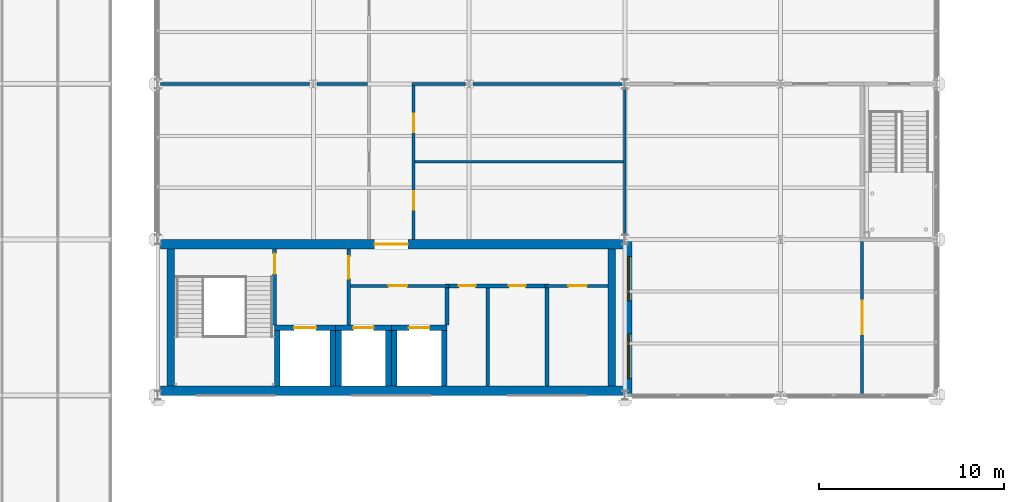
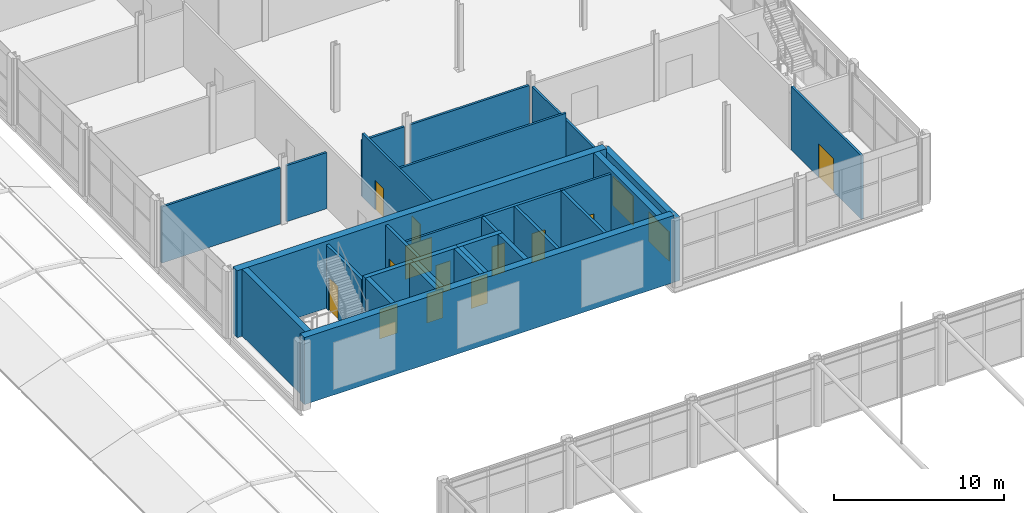
# One storey, part 154 of 167: 30 walls, 13 doors, 2 windows, 15 openings.
"""IFC4 building model written with IfcOpenShell, lengths in metres."""

from ifc_helpers import new_model, si_unit, direction, frame, frame_2d, origin, place, context, subcontext, project, spatial, rectangle, extrude, material, layer, layer_set, type_object, element, fill, save


model = new_model("IFC4")

# Units and contexts
model_context = context("Model", 3, precision=1e-05, world=origin(), true_north=direction((0.0, 1.0)))
body_context = subcontext(model_context, "Body", "Model", "MODEL_VIEW")
ifc_project = project(units=[si_unit("LENGTHUNIT", "METRE"), si_unit("AREAUNIT", "SQUARE_METRE"), si_unit("VOLUMEUNIT", "CUBIC_METRE"), si_unit("PLANEANGLEUNIT", "RADIAN"), si_unit("MASSUNIT", "GRAM", prefix="KILO")], contexts=[model_context])

# Site, building, storey
site_placement = place(None, origin())
site = spatial("IfcSite", under=ifc_project, at=site_placement, CompositionType="ELEMENT")
building_placement = place(site_placement, origin())
building = spatial("IfcBuilding", under=site, at=building_placement, Name="Catenary Quay Ferry Terminal", CompositionType="ELEMENT")
storey_placement = place(building_placement, frame((0.0, 0.0, 6.0)))
storey = spatial("IfcBuildingStorey", under=building, at=storey_placement, Name="L01", CompositionType="ELEMENT", Elevation=6.0)

# Walls
ifc_material_1 = material(Name="Concrete C50/60", Category="concrete")
ifc_layer_1 = layer(ifc_material_1, 0.39990234375)
ifc_layer_set_1 = layer_set([ifc_layer_1], Name="Core wall 400")
wall_type_1 = type_object("IfcWallType", Name="Core wall 400", PredefinedType="SHEAR", material=ifc_layer_set_1)
for number, where, z_axis, x_axis, name in (
    (1, (25.89990234375, 160.10009765625, 0.0), (0.0, 0.0, 1.0), (0.0, 1.0, 0.0), "Core wall S3"),
    (2, (49.699951171875, 160.10009765625, 0.0), (0.0, 0.0, 1.0), (0.0, 1.0, 0.0), "Core wall S4"),
):
    element("IfcWall", number, at=place(storey_placement, frame(where, z_axis=z_axis, x_axis=x_axis)), inside=storey, type_object=wall_type_1, Name=name, PredefinedType="SHEAR", context=body_context, shape_type="SweptSolid", body=[
        extrude(rectangle(XDim=7.39990234375, YDim=0.39990234375, at=frame_2d((3.699951171875, 0.0))), origin(), (0.0, 0.0, 1.0), 4.800048828125),
    ])
ifc_material_2 = material(Name="Concrete C50/60", Category="concrete")
ifc_layer_2 = layer(ifc_material_2, 0.5)
ifc_layer_set_2 = layer_set([ifc_layer_2], Name="Core wall 500")
wall_type_2 = type_object("IfcWallType", Name="Core wall 500", PredefinedType="SHEAR", material=ifc_layer_set_2)
wall_1_placement = place(storey_placement, frame((25.35009765625, 159.85009765625, 0.0), z_axis=(0.0, 0.0, 1.0), x_axis=(1.0, 0.0, 0.0)))
element("IfcWall", 3, at=wall_1_placement, inside=storey, type_object=wall_type_2, Name="Core wall S1", PredefinedType="SHEAR", context=body_context, shape_type="SweptSolid", body=[
    extrude(rectangle(XDim=25.04296875, YDim=0.5, at=frame_2d((12.521484375, 0.0))), origin(), (0.0, 0.0, 1.0), 4.800048828125),
])

# Wall, opening, door
wall_2_placement = place(storey_placement, frame((25.35009765625, 167.75, 0.0), z_axis=(0.0, 0.0, 1.0), x_axis=(1.0, 0.0, 0.0)))
wall_2 = element("IfcWall", 4, at=wall_2_placement, inside=storey, type_object=wall_type_2, Name="Core wall S2", PredefinedType="SHEAR", context=body_context, shape_type="SweptSolid", body=[
    extrude(rectangle(XDim=25.04296875, YDim=0.5, at=frame_2d((12.521484375, 0.0))), origin(), (0.0, 0.0, 1.0), 4.800048828125),
])
opening_1_placement = place(wall_2_placement, frame((11.550048828125, 0.0, 0.0)))
opening_1 = element("IfcOpeningElement", 5, at=opening_1_placement, cuts=wall_2, Name="Opening D138", PredefinedType="OPENING", context=body_context, shape_type="SweptSolid", body=[
    extrude(rectangle(XDim=1.800048828125, YDim=2.39990234375, at=frame_2d((0.89990234375, 1.199951171875))), frame((0.0, 0.260009765625, 0.0), z_axis=(0.0, -1.0, 0.0), x_axis=(1.0, 0.0, 0.0)), (0.0, 0.0, 1.0), 0.52001953125),
])
ifc_material_3 = material(Name="Steel and glass", Category="steel")
door_type_1 = type_object("IfcDoorType", Name="DI3", OperationType="DOUBLE_DOOR_SINGLE_SWING", PredefinedType="DOOR", material=ifc_material_3)
door_1_placement = place(opening_1_placement, frame((1.800048828125, 0.0, 0.0), z_axis=(0.0, 0.0, 1.0), x_axis=(-1.0, 0.0, 0.0)))
door_1 = element("IfcDoor", 6, at=door_1_placement, inside=storey, type_object=door_type_1, Name="Operations Corridor South to Core Corridor S", OperationType="DOUBLE_DOOR_SINGLE_SWING", OverallHeight=2.39990234375, OverallWidth=1.800048828125, PredefinedType="DOOR", context=body_context, shape_type="SweptSolid", body=[
    extrude(rectangle(XDim=1.800048828125, YDim=2.39990234375, at=frame_2d((0.89990234375, 1.199951171875))), frame((0.0, 0.02490234375, 0.0), z_axis=(0.0, -1.0, 0.0), x_axis=(1.0, 0.0, 0.0)), (0.0, 0.0, 1.0), 0.050048828125),
])
fill(opening_1, door_1)

# Wall, openings, windows
ifc_material_4 = material(Name="Masonry and insulation", Category="masonry")
ifc_layer_3 = layer(ifc_material_4, 0.39990234375)
ifc_layer_set_3 = layer_set([ifc_layer_3], Name="EW2")
wall_type_3 = type_object("IfcWallType", Name="EW2", PredefinedType="SOLIDWALL", material=ifc_layer_set_3)
wall_3_placement = place(storey_placement, frame((50.60009765625, 159.60009765625, 0.0), z_axis=(0.0, 0.0, 1.0), x_axis=(0.0, 1.0, 0.0)))
wall_3 = element("IfcWall", 7, at=wall_3_placement, inside=storey, type_object=wall_type_3, Name="P35 wall WL190", PredefinedType="SOLIDWALL", context=body_context, shape_type="SweptSolid", body=[
    extrude(rectangle(XDim=8.39990234375, YDim=0.39990234375, at=frame_2d((4.199951171875, 0.0))), origin(), (0.0, 0.0, 1.0), 4.550048828125),
])
opening_2_placement = place(wall_3_placement, frame((0.89990234375, 0.0, 0.89990234375)))
opening_2 = element("IfcOpeningElement", 8, at=opening_2_placement, cuts=wall_3, Name="Opening W42", PredefinedType="OPENING", context=body_context, shape_type="SweptSolid", body=[
    extrude(rectangle(XDim=2.39990234375, YDim=2.10009765625, at=frame_2d((1.199951171875, 1.050048828125))), frame((0.0, 0.2099609375, 0.0), z_axis=(0.0, -1.0, 0.0), x_axis=(1.0, 0.0, 0.0)), (0.0, 0.0, 1.0), 0.419921875),
])
opening_3_placement = place(wall_3_placement, frame((5.10009765625, 0.0, 0.89990234375)))
opening_3 = element("IfcOpeningElement", 9, at=opening_3_placement, cuts=wall_3, Name="Opening W43", PredefinedType="OPENING", context=body_context, shape_type="SweptSolid", body=[
    extrude(rectangle(XDim=2.39990234375, YDim=2.10009765625, at=frame_2d((1.199951171875, 1.050048828125))), frame((0.0, 0.2099609375, 0.0), z_axis=(0.0, -1.0, 0.0), x_axis=(1.0, 0.0, 0.0)), (0.0, 0.0, 1.0), 0.419921875),
])
ifc_material_5 = material(Name="Aluminium and glass", Category="aluminium")
window_type = type_object("IfcWindowType", Name="WP2", PartitioningType="SINGLE_PANEL", PredefinedType="WINDOW", material=ifc_material_5)
window_1_placement = place(opening_2_placement, origin())
window_1 = element("IfcWindow", 10, at=window_1_placement, inside=storey, type_object=window_type, Name="P35 window W42", OverallHeight=2.10009765625, OverallWidth=2.39990234375, PartitioningType="SINGLE_PANEL", PredefinedType="WINDOW", context=body_context, shape_type="SweptSolid", body=[
    extrude(rectangle(XDim=2.39990234375, YDim=2.10009765625, at=frame_2d((1.199951171875, 1.050048828125))), frame((0.0, 0.030029296875, 0.0), z_axis=(0.0, -1.0, 0.0), x_axis=(1.0, 0.0, 0.0)), (0.0, 0.0, 1.0), 0.06005859375),
])
fill(opening_2, window_1)
window_2_placement = place(opening_3_placement, origin())
window_2 = element("IfcWindow", 11, at=window_2_placement, inside=storey, type_object=window_type, Name="P35 window W43", OverallHeight=2.10009765625, OverallWidth=2.39990234375, PartitioningType="SINGLE_PANEL", PredefinedType="WINDOW", context=body_context, shape_type="SweptSolid", body=[
    extrude(rectangle(XDim=2.39990234375, YDim=2.10009765625, at=frame_2d((1.199951171875, 1.050048828125))), frame((0.0, 0.030029296875, 0.0), z_axis=(0.0, -1.0, 0.0), x_axis=(1.0, 0.0, 0.0)), (0.0, 0.0, 1.0), 0.06005859375),
])
fill(opening_3, window_2)

# Wall, opening, door
ifc_material_6 = material(Name="Plasterboard on steel studs", Category="steel")
ifc_layer_4 = layer(ifc_material_6, 0.14990234375)
ifc_layer_set_4 = layer_set([ifc_layer_4], Name="IP3")
wall_type_4 = type_object("IfcWallType", Name="IP3", PredefinedType="PARTITIONING", material=ifc_layer_set_4)
wall_4_placement = place(storey_placement, frame((35.60009765625, 165.5, 0.0), z_axis=(0.0, 0.0, 1.0), x_axis=(1.0, 0.0, 0.0)))
wall_4 = element("IfcWall", 12, at=wall_4_placement, inside=storey, type_object=wall_type_4, Name="Partition L01 25", PredefinedType="PARTITIONING", context=body_context, shape_type="SweptSolid", body=[
    extrude(rectangle(XDim=5.2998046875, YDim=0.14990234375, at=frame_2d((2.64990234375, 0.0))), origin(), (0.0, 0.0, 1.0), 4.550048828125),
])
opening_4_placement = place(wall_4_placement, frame((2.050048828125, 0.0, 0.0)))
opening_4 = element("IfcOpeningElement", 13, at=opening_4_placement, cuts=wall_4, Name="Opening D126", PredefinedType="OPENING", context=body_context, shape_type="SweptSolid", body=[
    extrude(rectangle(XDim=1.0, YDim=2.10009765625, at=frame_2d((0.5, 1.050048828125))), frame((0.0, 0.0849609375, 0.0), z_axis=(0.0, -1.0, 0.0), x_axis=(1.0, 0.0, 0.0)), (0.0, 0.0, 1.0), 0.169921875),
])
ifc_material_7 = material(Name="Steel", Category="steel")
door_type_2 = type_object("IfcDoorType", Name="DI12", OperationType="SINGLE_SWING_LEFT", PredefinedType="DOOR", material=ifc_material_7)
door_2_placement = place(opening_4_placement, origin())
door_2 = element("IfcDoor", 14, at=door_2_placement, inside=storey, type_object=door_type_2, Name="Passenger Lift Lobby S to Core Corridor S", OperationType="SINGLE_SWING_LEFT", OverallHeight=2.10009765625, OverallWidth=1.0, PredefinedType="DOOR", context=body_context, shape_type="SweptSolid", body=[
    extrude(rectangle(XDim=1.0, YDim=2.10009765625, at=frame_2d((0.5, 1.050048828125))), frame((0.0, 0.02490234375, 0.0), z_axis=(0.0, -1.0, 0.0), x_axis=(1.0, 0.0, 0.0)), (0.0, 0.0, 1.0), 0.050048828125),
])
fill(opening_4, door_2)

wall_5_placement = place(storey_placement, frame((46.10009765625, 165.5, 0.0), z_axis=(0.0, 0.0, 1.0), x_axis=(1.0, 0.0, 0.0)))
wall_5 = element("IfcWall", 15, at=wall_5_placement, inside=storey, type_object=wall_type_4, Name="Partition L01 27", PredefinedType="PARTITIONING", context=body_context, shape_type="SweptSolid", body=[
    extrude(rectangle(XDim=3.39990234375, YDim=0.14990234375, at=frame_2d((1.699951171875, 0.0))), origin(), (0.0, 0.0, 1.0), 4.550048828125),
])
opening_5_placement = place(wall_5_placement, frame((1.25, 0.0, 0.0)))
opening_5 = element("IfcOpeningElement", 16, at=opening_5_placement, cuts=wall_5, Name="Opening D134", PredefinedType="OPENING", context=body_context, shape_type="SweptSolid", body=[
    extrude(rectangle(XDim=1.0, YDim=2.10009765625, at=frame_2d((0.5, 1.050048828125))), frame((0.0, 0.0849609375, 0.0), z_axis=(0.0, -1.0, 0.0), x_axis=(1.0, 0.0, 0.0)), (0.0, 0.0, 1.0), 0.169921875),
])
ifc_material_8 = material(Name="Timber", Category="wood")
door_type_3 = type_object("IfcDoorType", Name="DI8", OperationType="SINGLE_SWING_LEFT", PredefinedType="DOOR", material=ifc_material_8)
door_3_placement = place(opening_5_placement, frame((1.0, 0.0, 0.0), z_axis=(0.0, 0.0, 1.0), x_axis=(-1.0, 0.0, 0.0)))
door_3 = element("IfcDoor", 17, at=door_3_placement, inside=storey, type_object=door_type_3, Name="Accessible WC S to Core Corridor S", OperationType="SINGLE_SWING_RIGHT", OverallHeight=2.10009765625, OverallWidth=1.0, PredefinedType="DOOR", context=body_context, shape_type="SweptSolid", body=[
    extrude(rectangle(XDim=1.0, YDim=2.10009765625, at=frame_2d((0.5, 1.050048828125))), frame((0.0, 0.02490234375, 0.0), z_axis=(0.0, -1.0, 0.0), x_axis=(1.0, 0.0, 0.0)), (0.0, 0.0, 1.0), 0.050048828125),
])
fill(opening_5, door_3)

# Walls
wall_6_placement = place(storey_placement, frame((38.925048828125, 176.39990234375, 0.0), z_axis=(0.0, 0.0, 1.0), x_axis=(1.0, 0.0, 0.0)))
element("IfcWall", 18, at=wall_6_placement, inside=storey, type_object=wall_type_4, Name="Partition L01 32", PredefinedType="PARTITIONING", context=body_context, shape_type="SweptSolid", body=[
    extrude(rectangle(XDim=2.873046875, YDim=0.14990234375, at=frame_2d((1.4365234375, 0.0))), origin(), (0.0, 0.0, 1.0), 4.021728515625),
])
wall_7_placement = place(storey_placement, frame((42.201904296875, 176.39990234375, 0.0), z_axis=(0.0, 0.0, 1.0), x_axis=(1.0, 0.0, 0.0)))
element("IfcWall", 19, at=wall_7_placement, inside=storey, type_object=wall_type_4, Name="Partition L01 33", PredefinedType="PARTITIONING", context=body_context, shape_type="SweptSolid", body=[
    extrude(rectangle(XDim=8.048095703125, YDim=0.14990234375, at=frame_2d((4.02392578125, 0.0))), origin(), (0.0, 0.0, 1.0), 4.021728515625),
])

# Wall, openings, doors
wall_8_placement = place(storey_placement, frame((39.0, 168.0, 0.0), z_axis=(0.0, 0.0, 1.0), x_axis=(0.0, 1.0, 0.0)))
wall_8 = element("IfcWall", 20, at=wall_8_placement, inside=storey, type_object=wall_type_4, Name="Partition L01 61", PredefinedType="PARTITIONING", context=body_context, shape_type="SweptSolid", body=[
    extrude(rectangle(XDim=8.324951171875, YDim=0.14990234375, at=frame_2d((4.16259765625, 0.0))), origin(), (0.0, 0.0, 1.0), 4.550048828125),
])
opening_6_placement = place(wall_8_placement, frame((1.60009765625, 0.0, 0.0)))
opening_6 = element("IfcOpeningElement", 21, at=opening_6_placement, cuts=wall_8, Name="Opening D144", PredefinedType="OPENING", context=body_context, shape_type="SweptSolid", body=[
    extrude(rectangle(XDim=1.0, YDim=2.10009765625, at=frame_2d((0.5, 1.050048828125))), frame((0.0, 0.0849609375, 0.0), z_axis=(0.0, -1.0, 0.0), x_axis=(1.0, 0.0, 0.0)), (0.0, 0.0, 1.0), 0.169921875),
])
opening_7_placement = place(wall_8_placement, frame((5.800048828125, 0.0, 0.0)))
opening_7 = element("IfcOpeningElement", 22, at=opening_7_placement, cuts=wall_8, Name="Opening D145", PredefinedType="OPENING", context=body_context, shape_type="SweptSolid", body=[
    extrude(rectangle(XDim=1.0, YDim=2.10009765625, at=frame_2d((0.5, 1.050048828125))), frame((0.0, 0.0849609375, 0.0), z_axis=(0.0, -1.0, 0.0), x_axis=(1.0, 0.0, 0.0)), (0.0, 0.0, 1.0), 0.169921875),
])
ifc_material_9 = material(Name="Timber", Category="wood")
door_type_4 = type_object("IfcDoorType", Name="DI7", OperationType="SINGLE_SWING_LEFT", PredefinedType="DOOR", material=ifc_material_9)
door_4_placement = place(opening_6_placement, frame((1.0, 0.0, 0.0), z_axis=(0.0, 0.0, 1.0), x_axis=(-1.0, 0.0, 0.0)))
door_4 = element("IfcDoor", 23, at=door_4_placement, inside=storey, type_object=door_type_4, Name="Interview Room 1 to Operations Corridor South", OperationType="SINGLE_SWING_RIGHT", OverallHeight=2.10009765625, OverallWidth=1.0, PredefinedType="DOOR", context=body_context, shape_type="SweptSolid", body=[
    extrude(rectangle(XDim=1.0, YDim=2.10009765625, at=frame_2d((0.5, 1.050048828125))), frame((0.0, 0.02490234375, 0.0), z_axis=(0.0, -1.0, 0.0), x_axis=(1.0, 0.0, 0.0)), (0.0, 0.0, 1.0), 0.050048828125),
])
fill(opening_6, door_4)
door_5_placement = place(opening_7_placement, frame((1.0, 0.0, 0.0), z_axis=(0.0, 0.0, 1.0), x_axis=(-1.0, 0.0, 0.0)))
door_5 = element("IfcDoor", 24, at=door_5_placement, inside=storey, type_object=door_type_4, Name="Interview Room 2 to Operations Corridor South", OperationType="SINGLE_SWING_RIGHT", OverallHeight=2.10009765625, OverallWidth=1.0, PredefinedType="DOOR", context=body_context, shape_type="SweptSolid", body=[
    extrude(rectangle(XDim=1.0, YDim=2.10009765625, at=frame_2d((0.5, 1.050048828125))), frame((0.0, 0.02490234375, 0.0), z_axis=(0.0, -1.0, 0.0), x_axis=(1.0, 0.0, 0.0)), (0.0, 0.0, 1.0), 0.050048828125),
])
fill(opening_7, door_5)

# Wall, opening, door
ifc_material_10 = material(Name="Blockwork and plaster", Category="masonry")
ifc_layer_5 = layer(ifc_material_10, 0.199951171875)
ifc_layer_set_5 = layer_set([ifc_layer_5], Name="IP4")
wall_type_5 = type_object("IfcWallType", Name="IP4", PredefinedType="PARTITIONING", material=ifc_layer_set_5)
wall_9_placement = place(storey_placement, frame((31.5, 163.39990234375, 0.0), z_axis=(0.0, 0.0, 1.0), x_axis=(0.0, 1.0, 0.0)))
wall_9 = element("IfcWall", 25, at=wall_9_placement, inside=storey, type_object=wall_type_5, Name="Partition L01 53", PredefinedType="PARTITIONING", context=body_context, shape_type="SweptSolid", body=[
    extrude(rectangle(XDim=4.10009765625, YDim=0.199951171875, at=frame_2d((2.050048828125, 0.0))), origin(), (0.0, 0.0, 1.0), 4.550048828125),
])
opening_8_placement = place(wall_9_placement, frame((2.75, 0.0, 0.0)))
opening_8 = element("IfcOpeningElement", 26, at=opening_8_placement, cuts=wall_9, Name="Opening D136", PredefinedType="OPENING", context=body_context, shape_type="SweptSolid", body=[
    extrude(rectangle(XDim=1.10009765625, YDim=2.39990234375, at=frame_2d((0.550048828125, 1.199951171875))), frame((0.0, 0.10986328125, 0.0), z_axis=(0.0, -1.0, 0.0), x_axis=(1.0, 0.0, 0.0)), (0.0, 0.0, 1.0), 0.219970703125),
])
ifc_material_11 = material(Name="Steel", Category="steel")
door_type_5 = type_object("IfcDoorType", Name="DI4", OperationType="SINGLE_SWING_LEFT", PredefinedType="DOOR", material=ifc_material_11)
door_6_placement = place(opening_8_placement, origin())
door_6 = element("IfcDoor", 27, at=door_6_placement, inside=storey, type_object=door_type_5, Name="Stair HS2 to Fire-fighting Lobby S", OperationType="SINGLE_SWING_LEFT", OverallHeight=2.39990234375, OverallWidth=1.10009765625, PredefinedType="DOOR", context=body_context, shape_type="SweptSolid", body=[
    extrude(rectangle(XDim=1.10009765625, YDim=2.39990234375, at=frame_2d((0.550048828125, 1.199951171875))), frame((0.0, 0.02490234375, 0.0), z_axis=(0.0, -1.0, 0.0), x_axis=(1.0, 0.0, 0.0)), (0.0, 0.0, 1.0), 0.050048828125),
])
fill(opening_8, door_6)

wall_10_placement = place(storey_placement, frame((35.5, 163.39990234375, 0.0), z_axis=(0.0, 0.0, 1.0), x_axis=(0.0, 1.0, 0.0)))
wall_10 = element("IfcWall", 28, at=wall_10_placement, inside=storey, type_object=wall_type_5, Name="Partition L01 57", PredefinedType="PARTITIONING", context=body_context, shape_type="SweptSolid", body=[
    extrude(rectangle(XDim=4.10009765625, YDim=0.199951171875, at=frame_2d((2.050048828125, 0.0))), origin(), (0.0, 0.0, 1.0), 4.550048828125),
])
opening_9_placement = place(wall_10_placement, frame((2.5, 0.0, 0.0)))
opening_9 = element("IfcOpeningElement", 29, at=opening_9_placement, cuts=wall_10, Name="Opening D128", PredefinedType="OPENING", context=body_context, shape_type="SweptSolid", body=[
    extrude(rectangle(XDim=1.199951171875, YDim=2.39990234375, at=frame_2d((0.60009765625, 1.199951171875))), frame((0.0, 0.10986328125, 0.0), z_axis=(0.0, -1.0, 0.0), x_axis=(1.0, 0.0, 0.0)), (0.0, 0.0, 1.0), 0.219970703125),
])
ifc_material_12 = material(Name="Steel and glass", Category="steel")
door_type_6 = type_object("IfcDoorType", Name="DI10", OperationType="SINGLE_SWING_LEFT", PredefinedType="DOOR", material=ifc_material_12)
door_7_placement = place(opening_9_placement, origin())
door_7 = element("IfcDoor", 30, at=door_7_placement, inside=storey, type_object=door_type_6, Name="Fire-fighting Lobby S to Core Corridor S", OperationType="SINGLE_SWING_LEFT", OverallHeight=2.39990234375, OverallWidth=1.199951171875, PredefinedType="DOOR", context=body_context, shape_type="SweptSolid", body=[
    extrude(rectangle(XDim=1.199951171875, YDim=2.39990234375, at=frame_2d((0.60009765625, 1.199951171875))), frame((0.0, 0.02490234375, 0.0), z_axis=(0.0, -1.0, 0.0), x_axis=(1.0, 0.0, 0.0)), (0.0, 0.0, 1.0), 0.050048828125),
])
fill(opening_9, door_7)

# Wall, openings, doors
ifc_material_13 = material(Name="Blockwork and plaster", Category="masonry")
ifc_layer_6 = layer(ifc_material_13, 0.199951171875)
ifc_layer_set_6 = layer_set([ifc_layer_6], Name="IP6")
wall_type_6 = type_object("IfcWallType", Name="IP6", PredefinedType="PARTITIONING", material=ifc_layer_set_6)
wall_11_placement = place(storey_placement, frame((40.699951171875, 165.5, 0.0), z_axis=(0.0, 0.0, 1.0), x_axis=(1.0, 0.0, 0.0)))
wall_11 = element("IfcWall", 31, at=wall_11_placement, inside=storey, type_object=wall_type_6, Name="Partition L01 26", PredefinedType="PARTITIONING", context=body_context, shape_type="SweptSolid", body=[
    extrude(rectangle(XDim=5.60009765625, YDim=0.199951171875, at=frame_2d((2.800048828125, 0.0))), origin(), (0.0, 0.0, 1.0), 4.550048828125),
])
opening_10_placement = place(wall_11_placement, frame((0.75, 0.0, 0.0)))
opening_10 = element("IfcOpeningElement", 32, at=opening_10_placement, cuts=wall_11, Name="Opening D130", PredefinedType="OPENING", context=body_context, shape_type="SweptSolid", body=[
    extrude(rectangle(XDim=0.89990234375, YDim=2.10009765625, at=frame_2d((0.449951171875, 1.050048828125))), frame((0.0, 0.10986328125, 0.0), z_axis=(0.0, -1.0, 0.0), x_axis=(1.0, 0.0, 0.0)), (0.0, 0.0, 1.0), 0.219970703125),
])
opening_11_placement = place(wall_11_placement, frame((3.449951171875, 0.0, 0.0)))
opening_11 = element("IfcOpeningElement", 33, at=opening_11_placement, cuts=wall_11, Name="Opening D132", PredefinedType="OPENING", context=body_context, shape_type="SweptSolid", body=[
    extrude(rectangle(XDim=0.89990234375, YDim=2.10009765625, at=frame_2d((0.449951171875, 1.050048828125))), frame((0.0, 0.10986328125, 0.0), z_axis=(0.0, -1.0, 0.0), x_axis=(1.0, 0.0, 0.0)), (0.0, 0.0, 1.0), 0.219970703125),
])
ifc_material_14 = material(Name="Steel", Category="steel")
door_type_7 = type_object("IfcDoorType", Name="DI9", OperationType="SINGLE_SWING_LEFT", PredefinedType="DOOR", material=ifc_material_14)
door_8_placement = place(opening_10_placement, frame((0.89990234375, 0.0, 0.0), z_axis=(0.0, 0.0, 1.0), x_axis=(-1.0, 0.0, 0.0)))
door_8 = element("IfcDoor", 34, at=door_8_placement, inside=storey, type_object=door_type_7, Name="Riser Shaft S to Core Corridor S", OperationType="SINGLE_SWING_RIGHT", OverallHeight=2.10009765625, OverallWidth=0.89990234375, PredefinedType="DOOR", context=body_context, shape_type="SweptSolid", body=[
    extrude(rectangle(XDim=0.89990234375, YDim=2.10009765625, at=frame_2d((0.449951171875, 1.050048828125))), frame((0.0, 0.02490234375, 0.0), z_axis=(0.0, -1.0, 0.0), x_axis=(1.0, 0.0, 0.0)), (0.0, 0.0, 1.0), 0.050048828125),
])
fill(opening_10, door_8)
door_9_placement = place(opening_11_placement, frame((0.89990234375, 0.0, 0.0), z_axis=(0.0, 0.0, 1.0), x_axis=(-1.0, 0.0, 0.0)))
door_9 = element("IfcDoor", 35, at=door_9_placement, inside=storey, type_object=door_type_7, Name="Cleaners Store S to Core Corridor S", OperationType="SINGLE_SWING_RIGHT", OverallHeight=2.10009765625, OverallWidth=0.89990234375, PredefinedType="DOOR", context=body_context, shape_type="SweptSolid", body=[
    extrude(rectangle(XDim=0.89990234375, YDim=2.10009765625, at=frame_2d((0.449951171875, 1.050048828125))), frame((0.0, 0.02490234375, 0.0), z_axis=(0.0, -1.0, 0.0), x_axis=(1.0, 0.0, 0.0)), (0.0, 0.0, 1.0), 0.050048828125),
])
fill(opening_11, door_9)

# Walls
wall_12_placement = place(storey_placement, frame((40.800048828125, 163.39990234375, 0.0), z_axis=(0.0, 0.0, 1.0), x_axis=(0.0, 1.0, 0.0)))
element("IfcWall", 36, at=wall_12_placement, inside=storey, type_object=wall_type_6, Name="Partition L01 65", PredefinedType="PARTITIONING", context=body_context, shape_type="SweptSolid", body=[
    extrude(rectangle(XDim=2.0, YDim=0.199951171875, at=frame_2d((1.0, 0.0))), origin(), (0.0, 0.0, 1.0), 4.550048828125),
])
for number, where, z_axis, x_axis, name in (
    (37, (43.0, 160.10009765625, 0.0), (0.0, 0.0, 1.0), (0.0, 1.0, 0.0), "Partition L01 68"),
    (38, (46.199951171875, 160.10009765625, 0.0), (0.0, 0.0, 1.0), (0.0, 1.0, 0.0), "Partition L01 70"),
):
    element("IfcWall", number, at=place(storey_placement, frame(where, z_axis=z_axis, x_axis=x_axis)), inside=storey, type_object=wall_type_6, Name=name, PredefinedType="PARTITIONING", context=body_context, shape_type="SweptSolid", body=[
        extrude(rectangle(XDim=5.2998046875, YDim=0.199951171875, at=frame_2d((2.64990234375, 0.0))), origin(), (0.0, 0.0, 1.0), 4.550048828125),
    ])
ifc_material_15 = material(Name="Plasterboard on steel studs", Category="steel")
ifc_layer_7 = layer(ifc_material_15, 0.14990234375)
ifc_layer_set_7 = layer_set([ifc_layer_7], Name="IP7")
wall_type_7 = type_object("IfcWallType", Name="IP7", PredefinedType="PARTITIONING", material=ifc_layer_set_7)
wall_13_placement = place(storey_placement, frame((39.074951171875, 172.199951171875, 0.0), z_axis=(0.0, 0.0, 1.0), x_axis=(1.0, 0.0, 0.0)))
element("IfcWall", 39, at=wall_13_placement, inside=storey, type_object=wall_type_7, Name="Partition L01 29", PredefinedType="PARTITIONING", context=body_context, shape_type="SweptSolid", body=[
    extrude(rectangle(XDim=11.25, YDim=0.14990234375, at=frame_2d((5.625, 0.0))), origin(), (0.0, 0.0, 1.0), 4.550048828125),
])
wall_14_placement = place(storey_placement, frame((25.35009765625, 176.39990234375, 0.0), z_axis=(0.0, 0.0, 1.0), x_axis=(1.0, 0.0, 0.0)))
element("IfcWall", 40, at=wall_14_placement, inside=storey, type_object=wall_type_7, Name="Partition L01 30", PredefinedType="PARTITIONING", context=body_context, shape_type="SweptSolid", body=[
    extrude(rectangle(XDim=8.0478515625, YDim=0.14990234375, at=frame_2d((4.02392578125, 0.0))), origin(), (0.0, 0.0, 1.0), 4.021728515625),
])
wall_15_placement = place(storey_placement, frame((33.802001953125, 176.39990234375, 0.0), z_axis=(0.0, 0.0, 1.0), x_axis=(1.0, 0.0, 0.0)))
element("IfcWall", 41, at=wall_15_placement, inside=storey, type_object=wall_type_7, Name="Partition L01 31", PredefinedType="PARTITIONING", context=body_context, shape_type="SweptSolid", body=[
    extrude(rectangle(XDim=2.722900390625, YDim=0.14990234375, at=frame_2d((1.361328125, 0.0))), origin(), (0.0, 0.0, 1.0), 4.021728515625),
])
wall_16_placement = place(storey_placement, frame((50.39990234375, 168.25, 0.0), z_axis=(0.0, 0.0, 1.0), x_axis=(0.0, 1.0, 0.0)))
element("IfcWall", 42, at=wall_16_placement, inside=storey, type_object=wall_type_7, Name="Partition L01 72", PredefinedType="PARTITIONING", context=body_context, shape_type="SweptSolid", body=[
    extrude(rectangle(XDim=7.89990234375, YDim=0.14990234375, at=frame_2d((3.949951171875, 0.0))), origin(), (0.0, 0.0, 1.0), 4.021728515625),
])

# Wall, opening, door
wall_17_placement = place(storey_placement, frame((63.199951171875, 159.675048828125, 0.0), z_axis=(0.0, 0.0, 1.0), x_axis=(0.0, 1.0, 0.0)))
wall_17 = element("IfcWall", 43, at=wall_17_placement, inside=storey, type_object=wall_type_7, Name="Partition L01 79", PredefinedType="PARTITIONING", context=body_context, shape_type="SweptSolid", body=[
    extrude(rectangle(XDim=8.224853515625, YDim=0.14990234375, at=frame_2d((4.1123046875, 0.0))), origin(), (0.0, 0.0, 1.0), 4.550048828125),
])
opening_12_placement = place(wall_17_placement, frame((3.22509765625, 0.0, 0.0)))
opening_12 = element("IfcOpeningElement", 44, at=opening_12_placement, cuts=wall_17, Name="Opening D152", PredefinedType="OPENING", context=body_context, shape_type="SweptSolid", body=[
    extrude(rectangle(XDim=1.800048828125, YDim=2.39990234375, at=frame_2d((0.89990234375, 1.199951171875))), frame((0.0, 0.0849609375, 0.0), z_axis=(0.0, -1.0, 0.0), x_axis=(1.0, 0.0, 0.0)), (0.0, 0.0, 1.0), 0.169921875),
])
ifc_material_16 = material(Name="Aluminium and glass", Category="aluminium")
door_type_8 = type_object("IfcDoorType", Name="DI6", OperationType="DOUBLE_DOOR_SINGLE_SWING", PredefinedType="DOOR", material=ifc_material_16)
door_10_placement = place(opening_12_placement, origin())
door_10 = element("IfcDoor", 45, at=door_10_placement, inside=storey, type_object=door_type_8, Name="Canteen Kitchen to Staff Canteen", OperationType="DOUBLE_DOOR_SINGLE_SWING", OverallHeight=2.39990234375, OverallWidth=1.800048828125, PredefinedType="DOOR", context=body_context, shape_type="SweptSolid", body=[
    extrude(rectangle(XDim=1.800048828125, YDim=2.39990234375, at=frame_2d((0.89990234375, 1.199951171875))), frame((0.0, 0.02490234375, 0.0), z_axis=(0.0, -1.0, 0.0), x_axis=(1.0, 0.0, 0.0)), (0.0, 0.0, 1.0), 0.050048828125),
])
fill(opening_12, door_10)

# Walls
ifc_material_17 = material(Name="Concrete C50/60", Category="concrete")
ifc_layer_8 = layer(ifc_material_17, 0.300048828125)
ifc_layer_set_8 = layer_set([ifc_layer_8], Name="Shaft wall 300")
wall_type_8 = type_object("IfcWallType", Name="Shaft wall 300", PredefinedType="SHEAR", material=ifc_layer_set_8)
for number, where, z_axis, x_axis, name in (
    (46, (34.64990234375, 160.10009765625, 0.0), (0.0, 0.0, 1.0), (0.0, 1.0, 0.0), "Shaft wall FL1 E"),
    (47, (31.64990234375, 160.10009765625, 0.0), (0.0, 0.0, 1.0), (0.0, 1.0, 0.0), "Shaft wall FL1 W"),
):
    element("IfcWall", number, at=place(storey_placement, frame(where, z_axis=z_axis, x_axis=x_axis)), inside=storey, type_object=wall_type_8, Name=name, PredefinedType="SHEAR", context=body_context, shape_type="SweptSolid", body=[
        extrude(rectangle(XDim=3.0, YDim=0.300048828125, at=frame_2d((1.5, 0.0))), origin(), (0.0, 0.0, 1.0), 4.800048828125),
    ])

# Wall, opening, door
wall_18_placement = place(storey_placement, frame((31.5, 163.25, 0.0), z_axis=(0.0, 0.0, 1.0), x_axis=(1.0, 0.0, 0.0)))
wall_18 = element("IfcWall", 48, at=wall_18_placement, inside=storey, type_object=wall_type_8, Name="Shaft wall FL1 N", PredefinedType="SHEAR", context=body_context, shape_type="SweptSolid", body=[
    extrude(rectangle(XDim=3.300048828125, YDim=0.300048828125, at=frame_2d((1.64990234375, 0.0))), origin(), (0.0, 0.0, 1.0), 4.800048828125),
])
opening_13_placement = place(wall_18_placement, frame((1.050048828125, 0.0, 0.0)))
opening_13 = element("IfcOpeningElement", 49, at=opening_13_placement, cuts=wall_18, Name="Opening LD6", PredefinedType="OPENING", context=body_context, shape_type="SweptSolid", body=[
    extrude(rectangle(XDim=1.199951171875, YDim=2.10009765625, at=frame_2d((0.60009765625, 1.050048828125))), frame((0.0, 0.159912109375, 0.0), z_axis=(0.0, -1.0, 0.0), x_axis=(1.0, 0.0, 0.0)), (0.0, 0.0, 1.0), 0.320068359375),
])
ifc_material_18 = material(Name="Stainless steel", Category="steel")
door_type_9 = type_object("IfcDoorType", Name="DL2", OperationType="SLIDING_TO_LEFT", PredefinedType="DOOR", material=ifc_material_18)
door_11_placement = place(opening_13_placement, origin())
door_11 = element("IfcDoor", 50, at=door_11_placement, inside=storey, type_object=door_type_9, Name="Lift FL1 landing door L01", OperationType="SLIDING_TO_LEFT", OverallHeight=2.10009765625, OverallWidth=1.199951171875, PredefinedType="DOOR", context=body_context, shape_type="SweptSolid", body=[
    extrude(rectangle(XDim=1.199951171875, YDim=2.10009765625, at=frame_2d((0.60009765625, 1.050048828125))), frame((0.0, 0.02490234375, 0.0), z_axis=(0.0, -1.0, 0.0), x_axis=(1.0, 0.0, 0.0)), (0.0, 0.0, 1.0), 0.050048828125),
])
fill(opening_13, door_11)

# Walls
for number, where, z_axis, x_axis, name in (
    (51, (37.64990234375, 160.10009765625, 0.0), (0.0, 0.0, 1.0), (0.0, 1.0, 0.0), "Shaft wall GL1 E"),
    (52, (34.949951171875, 160.10009765625, 0.0), (0.0, 0.0, 1.0), (0.0, 1.0, 0.0), "Shaft wall GL1 W"),
):
    element("IfcWall", number, at=place(storey_placement, frame(where, z_axis=z_axis, x_axis=x_axis)), inside=storey, type_object=wall_type_8, Name=name, PredefinedType="SHEAR", context=body_context, shape_type="SweptSolid", body=[
        extrude(rectangle(XDim=3.0, YDim=0.300048828125, at=frame_2d((1.5, 0.0))), origin(), (0.0, 0.0, 1.0), 4.800048828125),
    ])

# Wall, opening, door
wall_19_placement = place(storey_placement, frame((34.800048828125, 163.25, 0.0), z_axis=(0.0, 0.0, 1.0), x_axis=(1.0, 0.0, 0.0)))
wall_19 = element("IfcWall", 53, at=wall_19_placement, inside=storey, type_object=wall_type_8, Name="Shaft wall GL1 N", PredefinedType="SHEAR", context=body_context, shape_type="SweptSolid", body=[
    extrude(rectangle(XDim=3.0, YDim=0.300048828125, at=frame_2d((1.5, 0.0))), origin(), (0.0, 0.0, 1.0), 4.800048828125),
])
opening_14_placement = place(wall_19_placement, frame((0.949951171875, 0.0, 0.0)))
opening_14 = element("IfcOpeningElement", 54, at=opening_14_placement, cuts=wall_19, Name="Opening LD16", PredefinedType="OPENING", context=body_context, shape_type="SweptSolid", body=[
    extrude(rectangle(XDim=1.10009765625, YDim=2.10009765625, at=frame_2d((0.550048828125, 1.050048828125))), frame((0.0, 0.159912109375, 0.0), z_axis=(0.0, -1.0, 0.0), x_axis=(1.0, 0.0, 0.0)), (0.0, 0.0, 1.0), 0.320068359375),
])
ifc_material_19 = material(Name="Stainless steel", Category="steel")
door_type_10 = type_object("IfcDoorType", Name="DL1", OperationType="SLIDING_TO_LEFT", PredefinedType="DOOR", material=ifc_material_19)
door_12_placement = place(opening_14_placement, origin())
door_12 = element("IfcDoor", 55, at=door_12_placement, inside=storey, type_object=door_type_10, Name="Lift GL1 landing door L01", OperationType="SLIDING_TO_LEFT", OverallHeight=2.10009765625, OverallWidth=1.10009765625, PredefinedType="DOOR", context=body_context, shape_type="SweptSolid", body=[
    extrude(rectangle(XDim=1.10009765625, YDim=2.10009765625, at=frame_2d((0.550048828125, 1.050048828125))), frame((0.0, 0.02490234375, 0.0), z_axis=(0.0, -1.0, 0.0), x_axis=(1.0, 0.0, 0.0)), (0.0, 0.0, 1.0), 0.050048828125),
])
fill(opening_14, door_12)

# Walls
for number, where, z_axis, x_axis, name in (
    (56, (40.64990234375, 160.10009765625, 0.0), (0.0, 0.0, 1.0), (0.0, 1.0, 0.0), "Shaft wall GL2 E"),
    (57, (37.949951171875, 160.10009765625, 0.0), (0.0, 0.0, 1.0), (0.0, 1.0, 0.0), "Shaft wall GL2 W"),
):
    element("IfcWall", number, at=place(storey_placement, frame(where, z_axis=z_axis, x_axis=x_axis)), inside=storey, type_object=wall_type_8, Name=name, PredefinedType="SHEAR", context=body_context, shape_type="SweptSolid", body=[
        extrude(rectangle(XDim=3.0, YDim=0.300048828125, at=frame_2d((1.5, 0.0))), origin(), (0.0, 0.0, 1.0), 4.800048828125),
    ])

# Wall, opening, door
wall_20_placement = place(storey_placement, frame((37.800048828125, 163.25, 0.0), z_axis=(0.0, 0.0, 1.0), x_axis=(1.0, 0.0, 0.0)))
wall_20 = element("IfcWall", 58, at=wall_20_placement, inside=storey, type_object=wall_type_8, Name="Shaft wall GL2 N", PredefinedType="SHEAR", context=body_context, shape_type="SweptSolid", body=[
    extrude(rectangle(XDim=3.0, YDim=0.300048828125, at=frame_2d((1.5, 0.0))), origin(), (0.0, 0.0, 1.0), 4.800048828125),
])
opening_15_placement = place(wall_20_placement, frame((0.949951171875, 0.0, 0.0)))
opening_15 = element("IfcOpeningElement", 59, at=opening_15_placement, cuts=wall_20, Name="Opening LD21", PredefinedType="OPENING", context=body_context, shape_type="SweptSolid", body=[
    extrude(rectangle(XDim=1.10009765625, YDim=2.10009765625, at=frame_2d((0.550048828125, 1.050048828125))), frame((0.0, 0.159912109375, 0.0), z_axis=(0.0, -1.0, 0.0), x_axis=(1.0, 0.0, 0.0)), (0.0, 0.0, 1.0), 0.320068359375),
])
door_13_placement = place(opening_15_placement, origin())
door_13 = element("IfcDoor", 60, at=door_13_placement, inside=storey, type_object=door_type_10, Name="Lift GL2 landing door L01", OperationType="SLIDING_TO_LEFT", OverallHeight=2.10009765625, OverallWidth=1.10009765625, PredefinedType="DOOR", context=body_context, shape_type="SweptSolid", body=[
    extrude(rectangle(XDim=1.10009765625, YDim=2.10009765625, at=frame_2d((0.550048828125, 1.050048828125))), frame((0.0, 0.02490234375, 0.0), z_axis=(0.0, -1.0, 0.0), x_axis=(1.0, 0.0, 0.0)), (0.0, 0.0, 1.0), 0.050048828125),
])
fill(opening_15, door_13)

save(model, "model.ifc")
